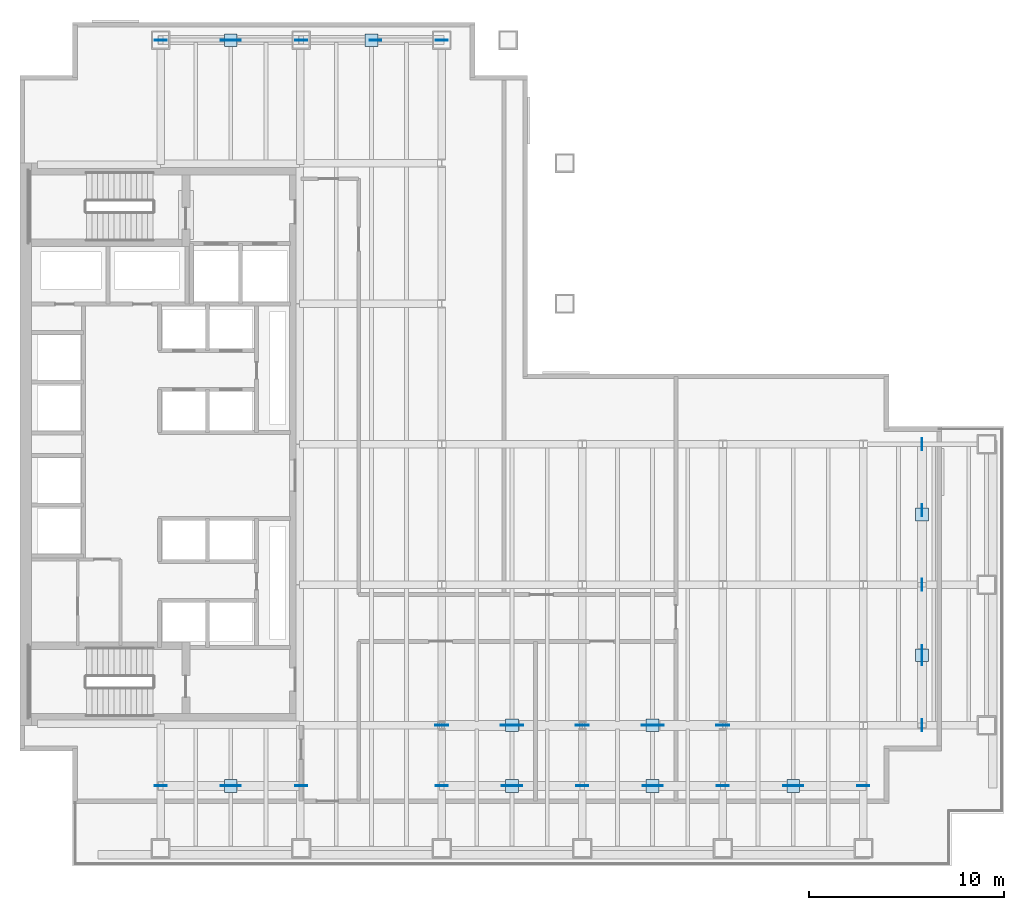
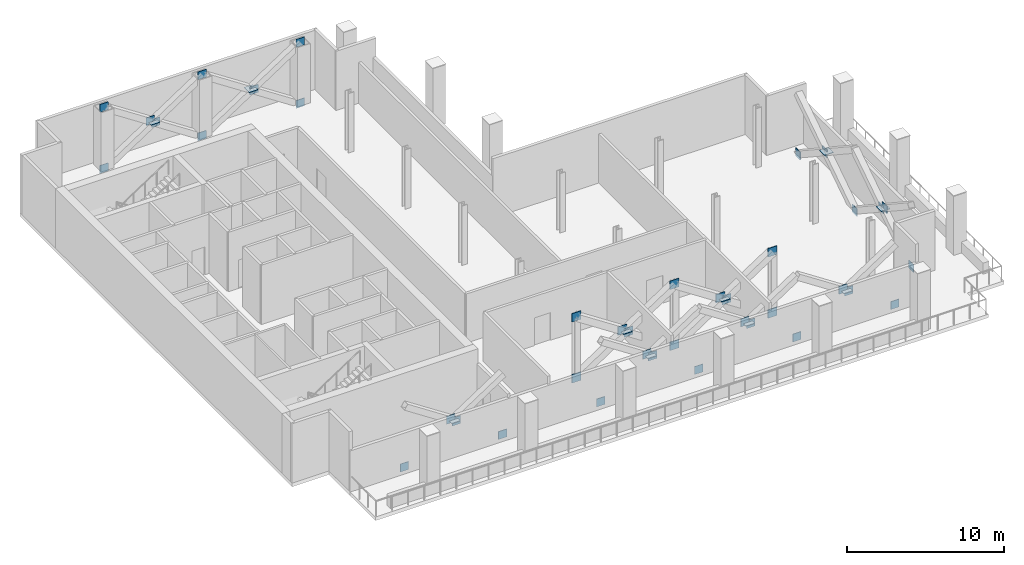
# One storey, part 4 of 9: 49 plates.
"""IFC4 building model written with IfcOpenShell, lengths in metres."""

from ifc_helpers import new_model, si_unit, direction, frame, origin, origin_2d, place, context, subcontext, project, spatial, rectangle, extrude, material, layer, layer_set, type_object, element, save


model = new_model("IFC4")

# Units and contexts
model_context = context("Model", 3, precision=1e-05, world=origin(), true_north=direction((0.0, 1.0)))
body_context = subcontext(model_context, "Body", "Model", "MODEL_VIEW")
ifc_project = project(units=[si_unit("LENGTHUNIT", "METRE"), si_unit("AREAUNIT", "SQUARE_METRE"), si_unit("VOLUMEUNIT", "CUBIC_METRE"), si_unit("PLANEANGLEUNIT", "RADIAN"), si_unit("MASSUNIT", "GRAM", prefix="KILO")], contexts=[model_context])

# Site, building, storey
site_placement = place(None, origin())
site = spatial("IfcSite", under=ifc_project, at=site_placement, CompositionType="ELEMENT")
building_placement = place(site_placement, origin())
building = spatial("IfcBuilding", under=site, at=building_placement, Name="Cobrela Telecom Tower", CompositionType="ELEMENT")
storey_placement = place(building_placement, frame((0.0, 0.0, 92.75)))
storey = spatial("IfcBuildingStorey", under=building, at=storey_placement, Name="L23", CompositionType="ELEMENT", Elevation=92.75)

# Plates
ifc_material = material(Name="Steel ASTM A572 Grade 50", Category="steel")
ifc_layer_1 = layer(ifc_material, 0.0419921875)
ifc_layer_set_1 = layer_set([ifc_layer_1], Name="Steel ASTM A572 Grade 50")
plate_type_1 = type_object("IfcPlateType", Name="PLT-NODE-ND6", PredefinedType="USERDEFINED", material=ifc_layer_set_1)
for number, where, z_axis, x_axis, name in (
    (1, (21.60009765625, 7.199951171875, -0.4697265625), (0.0, 0.0, 1.0), (1.0, 0.0, 0.0), "Steel node plate PLT-MBR-OUT-L23-01-A-0"),
    (2, (28.800048828125, 7.199951171875, 4.27001953125), (0.0, 0.0, 1.0), (1.0, 0.0, 0.0), "Steel node plate PLT-MBR-OUT-L23-01-A-1"),
    (3, (28.800048828125, 7.199951171875, -0.4697265625), (0.0, 0.0, 1.0), (-1.0, 0.0, 0.0), "Steel node plate PLT-MBR-OUT-L23-01-B1-0"),
    (4, (25.433837890625, 7.199951171875, 1.74609375), (0.0, 0.0, 1.0), (-1.0, 0.0, 0.0), "Steel node plate PLT-MBR-OUT-L23-01-B1-1"),
    (5, (24.966064453125, 7.199951171875, 2.05419921875), (0.0, 0.0, 1.0), (-1.0, 0.0, 0.0), "Steel node plate PLT-MBR-OUT-L23-01-B2-0"),
    (6, (21.60009765625, 7.199951171875, 4.27001953125), (0.0, 0.0, 1.0), (-1.0, 0.0, 0.0), "Steel node plate PLT-MBR-OUT-L23-01-B2-1"),
):
    element("IfcPlate", number, at=place(storey_placement, frame(where, z_axis=z_axis, x_axis=x_axis)), inside=storey, type_object=plate_type_1, Name=name, ObjectType="GUSSET PLATE", PredefinedType="USERDEFINED", context=body_context, shape_type="SweptSolid", body=[
        extrude(rectangle(XDim=0.659912109375, YDim=0.044921875, at=origin_2d()), origin(), (0.0, 0.0, 1.0), 0.659912109375),
    ])
plate_1_placement = place(storey_placement, frame((25.199951171875, 7.199951171875, 2.20751953125), z_axis=(0.0, 0.0, 1.0), x_axis=(1.0, 0.0, 0.0)))
element("IfcPlate", 7, at=plate_1_placement, inside=storey, type_object=plate_type_1, Name="L23 Outrigger Truss Brace 01 Central X-Crossing Gusset Plate", ObjectType="GUSSET PLATE", PredefinedType="USERDEFINED", context=body_context, shape_type="SweptSolid", body=[
    extrude(rectangle(XDim=0.64990234375, YDim=0.64990234375, at=origin_2d()), origin(), (0.0, 0.0, 1.0), 0.044921875),
])
for number, where, z_axis, x_axis, name in (
    (8, (36.0, 7.199951171875, 4.27001953125), (0.0, 0.0, 1.0), (1.0, 0.0, 0.0), "Steel node plate PLT-MBR-OUT-L23-02-A-1"),
    (9, (36.0, 7.199951171875, -0.4697265625), (0.0, 0.0, 1.0), (-1.0, 0.0, 0.0), "Steel node plate PLT-MBR-OUT-L23-02-B1-0"),
    (10, (32.6337890625, 7.199951171875, 1.74609375), (0.0, 0.0, 1.0), (-1.0, 0.0, 0.0), "Steel node plate PLT-MBR-OUT-L23-02-B1-1"),
    (11, (32.166015625, 7.199951171875, 2.05419921875), (0.0, 0.0, 1.0), (-1.0, 0.0, 0.0), "Steel node plate PLT-MBR-OUT-L23-02-B2-0"),
):
    element("IfcPlate", number, at=place(storey_placement, frame(where, z_axis=z_axis, x_axis=x_axis)), inside=storey, type_object=plate_type_1, Name=name, ObjectType="GUSSET PLATE", PredefinedType="USERDEFINED", context=body_context, shape_type="SweptSolid", body=[
        extrude(rectangle(XDim=0.659912109375, YDim=0.044921875, at=origin_2d()), origin(), (0.0, 0.0, 1.0), 0.659912109375),
    ])
plate_2_placement = place(storey_placement, frame((32.39990234375, 7.199951171875, 2.20751953125), z_axis=(0.0, 0.0, 1.0), x_axis=(1.0, 0.0, 0.0)))
element("IfcPlate", 12, at=plate_2_placement, inside=storey, type_object=plate_type_1, Name="L23 Outrigger Truss Brace 02 Central X-Crossing Gusset Plate", ObjectType="GUSSET PLATE", PredefinedType="USERDEFINED", context=body_context, shape_type="SweptSolid", body=[
    extrude(rectangle(XDim=0.64990234375, YDim=0.64990234375, at=origin_2d()), origin(), (0.0, 0.0, 1.0), 0.044921875),
])
ifc_layer_2 = layer(ifc_material, 0.0439453125)
ifc_layer_set_2 = layer_set([ifc_layer_2], Name="Steel ASTM A572 Grade 50")
plate_type_2 = type_object("IfcPlateType", Name="PLT-NODE-ND7", PredefinedType="USERDEFINED", material=ifc_layer_set_2)
for number, where, z_axis, x_axis, name in (
    (13, (7.199951171875, 4.10009765625, -0.44482421875), (0.0, 0.0, 1.0), (1.0, 0.0, 0.0), "Steel node plate PLT-MBR-BELT-L23-S03-A-0"),
    (14, (14.39990234375, 4.10009765625, -0.44482421875), (0.0, 0.0, 1.0), (-1.0, 0.0, 0.0), "Steel node plate PLT-MBR-BELT-L23-S03-B1-0"),
    (15, (11.010498046875, 4.10009765625, 1.7861328125), (0.0, 0.0, 1.0), (-1.0, 0.0, 0.0), "Steel node plate PLT-MBR-BELT-L23-S03-B1-1"),
    (16, (10.589599609375, 4.10009765625, 2.0634765625), (0.0, 0.0, 1.0), (-1.0, 0.0, 0.0), "Steel node plate PLT-MBR-BELT-L23-S03-B2-0"),
):
    element("IfcPlate", number, at=place(storey_placement, frame(where, z_axis=z_axis, x_axis=x_axis)), inside=storey, type_object=plate_type_2, Name=name, ObjectType="GUSSET PLATE", PredefinedType="USERDEFINED", context=body_context, shape_type="SweptSolid", body=[
        extrude(rectangle(XDim=0.610107421875, YDim=0.044921875, at=origin_2d()), origin(), (0.0, 0.0, 1.0), 0.610107421875),
    ])
plate_3_placement = place(storey_placement, frame((10.800048828125, 4.10009765625, 2.20751953125), z_axis=(0.0, 0.0, 1.0), x_axis=(1.0, 0.0, 0.0)))
element("IfcPlate", 17, at=plate_3_placement, inside=storey, type_object=plate_type_2, Name="L23 South Perimeter Belt Truss Brace 03 Central X-Crossing Gusset Plate", ObjectType="GUSSET PLATE", PredefinedType="USERDEFINED", context=body_context, shape_type="SweptSolid", body=[
    extrude(rectangle(XDim=0.64990234375, YDim=0.64990234375, at=origin_2d()), origin(), (0.0, 0.0, 1.0), 0.044921875),
])
for number, where, z_axis, x_axis, name in (
    (18, (21.60009765625, 4.10009765625, -0.44482421875), (0.0, 0.0, 1.0), (1.0, 0.0, 0.0), "Steel node plate PLT-MBR-BELT-L23-S04-A-0"),
    (19, (28.800048828125, 4.10009765625, -0.44482421875), (0.0, 0.0, 1.0), (-1.0, 0.0, 0.0), "Steel node plate PLT-MBR-BELT-L23-S04-B1-0"),
    (20, (25.410400390625, 4.10009765625, 1.7861328125), (0.0, 0.0, 1.0), (-1.0, 0.0, 0.0), "Steel node plate PLT-MBR-BELT-L23-S04-B1-1"),
    (21, (24.989501953125, 4.10009765625, 2.0634765625), (0.0, 0.0, 1.0), (-1.0, 0.0, 0.0), "Steel node plate PLT-MBR-BELT-L23-S04-B2-0"),
):
    element("IfcPlate", number, at=place(storey_placement, frame(where, z_axis=z_axis, x_axis=x_axis)), inside=storey, type_object=plate_type_2, Name=name, ObjectType="GUSSET PLATE", PredefinedType="USERDEFINED", context=body_context, shape_type="SweptSolid", body=[
        extrude(rectangle(XDim=0.610107421875, YDim=0.044921875, at=origin_2d()), origin(), (0.0, 0.0, 1.0), 0.610107421875),
    ])
plate_4_placement = place(storey_placement, frame((25.199951171875, 4.10009765625, 2.20751953125), z_axis=(0.0, 0.0, 1.0), x_axis=(1.0, 0.0, 0.0)))
element("IfcPlate", 22, at=plate_4_placement, inside=storey, type_object=plate_type_2, Name="L23 South Perimeter Belt Truss Brace 04 Central X-Crossing Gusset Plate", ObjectType="GUSSET PLATE", PredefinedType="USERDEFINED", context=body_context, shape_type="SweptSolid", body=[
    extrude(rectangle(XDim=0.64990234375, YDim=0.64990234375, at=origin_2d()), origin(), (0.0, 0.0, 1.0), 0.044921875),
])
for number, where, z_axis, x_axis, name in (
    (23, (36.0, 4.10009765625, -0.44482421875), (0.0, 0.0, 1.0), (-1.0, 0.0, 0.0), "Steel node plate PLT-MBR-BELT-L23-S05-B1-0"),
    (24, (32.610595703125, 4.10009765625, 1.7861328125), (0.0, 0.0, 1.0), (-1.0, 0.0, 0.0), "Steel node plate PLT-MBR-BELT-L23-S05-B1-1"),
    (25, (32.189453125, 4.10009765625, 2.0634765625), (0.0, 0.0, 1.0), (-1.0, 0.0, 0.0), "Steel node plate PLT-MBR-BELT-L23-S05-B2-0"),
):
    element("IfcPlate", number, at=place(storey_placement, frame(where, z_axis=z_axis, x_axis=x_axis)), inside=storey, type_object=plate_type_2, Name=name, ObjectType="GUSSET PLATE", PredefinedType="USERDEFINED", context=body_context, shape_type="SweptSolid", body=[
        extrude(rectangle(XDim=0.610107421875, YDim=0.044921875, at=origin_2d()), origin(), (0.0, 0.0, 1.0), 0.610107421875),
    ])
plate_5_placement = place(storey_placement, frame((32.39990234375, 4.10009765625, 2.20751953125), z_axis=(0.0, 0.0, 1.0), x_axis=(1.0, 0.0, 0.0)))
element("IfcPlate", 26, at=plate_5_placement, inside=storey, type_object=plate_type_2, Name="L23 South Perimeter Belt Truss Brace 05 Central X-Crossing Gusset Plate", ObjectType="GUSSET PLATE", PredefinedType="USERDEFINED", context=body_context, shape_type="SweptSolid", body=[
    extrude(rectangle(XDim=0.64990234375, YDim=0.64990234375, at=origin_2d()), origin(), (0.0, 0.0, 1.0), 0.044921875),
])
for number, where, z_axis, x_axis, name in (
    (27, (43.199951171875, 4.10009765625, -0.44482421875), (0.0, 0.0, 1.0), (-1.0, 0.0, 0.0), "Steel node plate PLT-MBR-BELT-L23-S06-B1-0"),
    (28, (39.810546875, 4.10009765625, 1.7861328125), (0.0, 0.0, 1.0), (-1.0, 0.0, 0.0), "Steel node plate PLT-MBR-BELT-L23-S06-B1-1"),
    (29, (39.389404296875, 4.10009765625, 2.0634765625), (0.0, 0.0, 1.0), (-1.0, 0.0, 0.0), "Steel node plate PLT-MBR-BELT-L23-S06-B2-0"),
):
    element("IfcPlate", number, at=place(storey_placement, frame(where, z_axis=z_axis, x_axis=x_axis)), inside=storey, type_object=plate_type_2, Name=name, ObjectType="GUSSET PLATE", PredefinedType="USERDEFINED", context=body_context, shape_type="SweptSolid", body=[
        extrude(rectangle(XDim=0.610107421875, YDim=0.044921875, at=origin_2d()), origin(), (0.0, 0.0, 1.0), 0.610107421875),
    ])
plate_6_placement = place(storey_placement, frame((39.60009765625, 4.10009765625, 2.20751953125), z_axis=(0.0, 0.0, 1.0), x_axis=(1.0, 0.0, 0.0)))
element("IfcPlate", 30, at=plate_6_placement, inside=storey, type_object=plate_type_2, Name="L23 South Perimeter Belt Truss Brace 06 Central X-Crossing Gusset Plate", ObjectType="GUSSET PLATE", PredefinedType="USERDEFINED", context=body_context, shape_type="SweptSolid", body=[
    extrude(rectangle(XDim=0.64990234375, YDim=0.64990234375, at=origin_2d()), origin(), (0.0, 0.0, 1.0), 0.044921875),
])
for number, where, z_axis, x_axis, name in (
    (31, (7.199951171875, 42.300048828125, -0.44482421875), (0.0, 0.0, 1.0), (1.0, 0.0, 0.0), "Steel node plate PLT-MBR-BELT-L23-N07-A-0"),
    (32, (14.39990234375, 42.300048828125, 4.294921875), (0.0, 0.0, 1.0), (1.0, 0.0, 0.0), "Steel node plate PLT-MBR-BELT-L23-N07-A-1"),
    (33, (14.39990234375, 42.300048828125, -0.44482421875), (0.0, 0.0, 1.0), (-1.0, 0.0, 0.0), "Steel node plate PLT-MBR-BELT-L23-N07-B1-0"),
    (34, (11.010498046875, 42.300048828125, 1.7861328125), (0.0, 0.0, 1.0), (-1.0, 0.0, 0.0), "Steel node plate PLT-MBR-BELT-L23-N07-B1-1"),
    (35, (10.589599609375, 42.300048828125, 2.0634765625), (0.0, 0.0, 1.0), (-1.0, 0.0, 0.0), "Steel node plate PLT-MBR-BELT-L23-N07-B2-0"),
    (36, (7.199951171875, 42.300048828125, 4.294921875), (0.0, 0.0, 1.0), (-1.0, 0.0, 0.0), "Steel node plate PLT-MBR-BELT-L23-N07-B2-1"),
):
    element("IfcPlate", number, at=place(storey_placement, frame(where, z_axis=z_axis, x_axis=x_axis)), inside=storey, type_object=plate_type_2, Name=name, ObjectType="GUSSET PLATE", PredefinedType="USERDEFINED", context=body_context, shape_type="SweptSolid", body=[
        extrude(rectangle(XDim=0.610107421875, YDim=0.044921875, at=origin_2d()), origin(), (0.0, 0.0, 1.0), 0.610107421875),
    ])
plate_7_placement = place(storey_placement, frame((10.800048828125, 42.300048828125, 2.20751953125), z_axis=(0.0, 0.0, 1.0), x_axis=(1.0, 0.0, 0.0)))
element("IfcPlate", 37, at=plate_7_placement, inside=storey, type_object=plate_type_2, Name="L23 North Perimeter Belt Truss Brace 07 Central X-Crossing Gusset Plate", ObjectType="GUSSET PLATE", PredefinedType="USERDEFINED", context=body_context, shape_type="SweptSolid", body=[
    extrude(rectangle(XDim=0.64990234375, YDim=0.64990234375, at=origin_2d()), origin(), (0.0, 0.0, 1.0), 0.044921875),
])
for number, where, z_axis, x_axis, name in (
    (38, (21.60009765625, 42.300048828125, 4.294921875), (0.0, 0.0, 1.0), (1.0, 0.0, 0.0), "Steel node plate PLT-MBR-BELT-L23-N08-A-1"),
    (39, (21.60009765625, 42.300048828125, -0.44482421875), (0.0, 0.0, 1.0), (-1.0, 0.0, 0.0), "Steel node plate PLT-MBR-BELT-L23-N08-B1-0"),
    (40, (18.21044921875, 42.300048828125, 1.7861328125), (0.0, 0.0, 1.0), (-1.0, 0.0, 0.0), "Steel node plate PLT-MBR-BELT-L23-N08-B1-1"),
):
    element("IfcPlate", number, at=place(storey_placement, frame(where, z_axis=z_axis, x_axis=x_axis)), inside=storey, type_object=plate_type_2, Name=name, ObjectType="GUSSET PLATE", PredefinedType="USERDEFINED", context=body_context, shape_type="SweptSolid", body=[
        extrude(rectangle(XDim=0.610107421875, YDim=0.044921875, at=origin_2d()), origin(), (0.0, 0.0, 1.0), 0.610107421875),
    ])
plate_8_placement = place(storey_placement, frame((18.0, 42.300048828125, 2.20751953125), z_axis=(0.0, 0.0, 1.0), x_axis=(1.0, 0.0, 0.0)))
element("IfcPlate", 41, at=plate_8_placement, inside=storey, type_object=plate_type_2, Name="L23 North Perimeter Belt Truss Brace 08 Central X-Crossing Gusset Plate", ObjectType="GUSSET PLATE", PredefinedType="USERDEFINED", context=body_context, shape_type="SweptSolid", body=[
    extrude(rectangle(XDim=0.64990234375, YDim=0.64990234375, at=origin_2d()), origin(), (0.0, 0.0, 1.0), 0.044921875),
])
for number, where, z_axis, x_axis, name in (
    (42, (46.199951171875, 7.199951171875, -0.44482421875), (0.0, 0.0, 1.0), (0.0, 1.0, 0.0), "Steel node plate PLT-MBR-BELT-L23-E09-A-0"),
    (43, (46.199951171875, 14.39990234375, -0.44482421875), (0.0, 0.0, 1.0), (0.0, -1.0, 0.0), "Steel node plate PLT-MBR-BELT-L23-E09-B1-0"),
    (44, (46.199951171875, 11.010498046875, 1.7861328125), (0.0, 0.0, 1.0), (0.0, -1.0, 0.0), "Steel node plate PLT-MBR-BELT-L23-E09-B1-1"),
    (45, (46.199951171875, 10.589599609375, 2.0634765625), (0.0, 0.0, 1.0), (0.0, -1.0, 0.0), "Steel node plate PLT-MBR-BELT-L23-E09-B2-0"),
):
    element("IfcPlate", number, at=place(storey_placement, frame(where, z_axis=z_axis, x_axis=x_axis)), inside=storey, type_object=plate_type_2, Name=name, ObjectType="GUSSET PLATE", PredefinedType="USERDEFINED", context=body_context, shape_type="SweptSolid", body=[
        extrude(rectangle(XDim=0.610107421875, YDim=0.044921875, at=origin_2d()), origin(), (0.0, 0.0, 1.0), 0.610107421875),
    ])
plate_9_placement = place(storey_placement, frame((46.199951171875, 10.800048828125, 2.20751953125), z_axis=(0.0, 0.0, 1.0), x_axis=(1.0, 0.0, 0.0)))
element("IfcPlate", 46, at=plate_9_placement, inside=storey, type_object=plate_type_2, Name="L23 East Perimeter Belt Truss Brace 09 Central X-Crossing Gusset Plate", ObjectType="GUSSET PLATE", PredefinedType="USERDEFINED", context=body_context, shape_type="SweptSolid", body=[
    extrude(rectangle(XDim=0.64990234375, YDim=0.64990234375, at=origin_2d()), origin(), (0.0, 0.0, 1.0), 0.044921875),
])
for number, where, z_axis, x_axis, name in (
    (47, (46.199951171875, 21.60009765625, -0.44482421875), (0.0, 0.0, 1.0), (0.0, -1.0, 0.0), "Steel node plate PLT-MBR-BELT-L23-E10-B1-0"),
    (48, (46.199951171875, 18.21044921875, 1.7861328125), (0.0, 0.0, 1.0), (0.0, -1.0, 0.0), "Steel node plate PLT-MBR-BELT-L23-E10-B1-1"),
):
    element("IfcPlate", number, at=place(storey_placement, frame(where, z_axis=z_axis, x_axis=x_axis)), inside=storey, type_object=plate_type_2, Name=name, ObjectType="GUSSET PLATE", PredefinedType="USERDEFINED", context=body_context, shape_type="SweptSolid", body=[
        extrude(rectangle(XDim=0.610107421875, YDim=0.044921875, at=origin_2d()), origin(), (0.0, 0.0, 1.0), 0.610107421875),
    ])
plate_10_placement = place(storey_placement, frame((46.199951171875, 18.0, 2.20751953125), z_axis=(0.0, 0.0, 1.0), x_axis=(1.0, 0.0, 0.0)))
element("IfcPlate", 49, at=plate_10_placement, inside=storey, type_object=plate_type_2, Name="L23 East Perimeter Belt Truss Brace 10 Central X-Crossing Gusset Plate", ObjectType="GUSSET PLATE", PredefinedType="USERDEFINED", context=body_context, shape_type="SweptSolid", body=[
    extrude(rectangle(XDim=0.64990234375, YDim=0.64990234375, at=origin_2d()), origin(), (0.0, 0.0, 1.0), 0.044921875),
])

save(model, "model.ifc")
